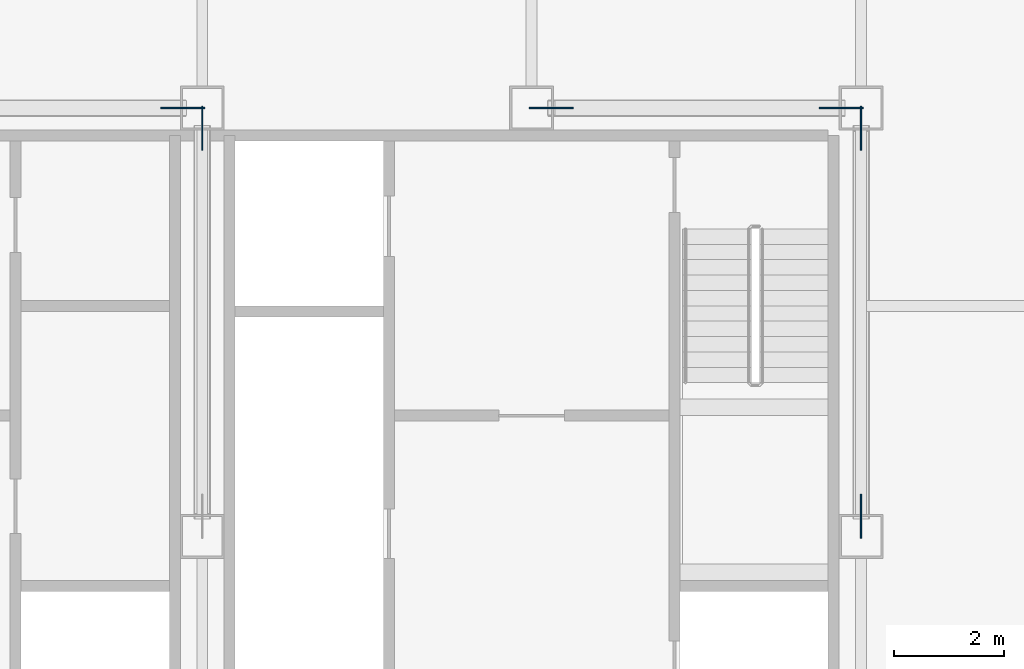
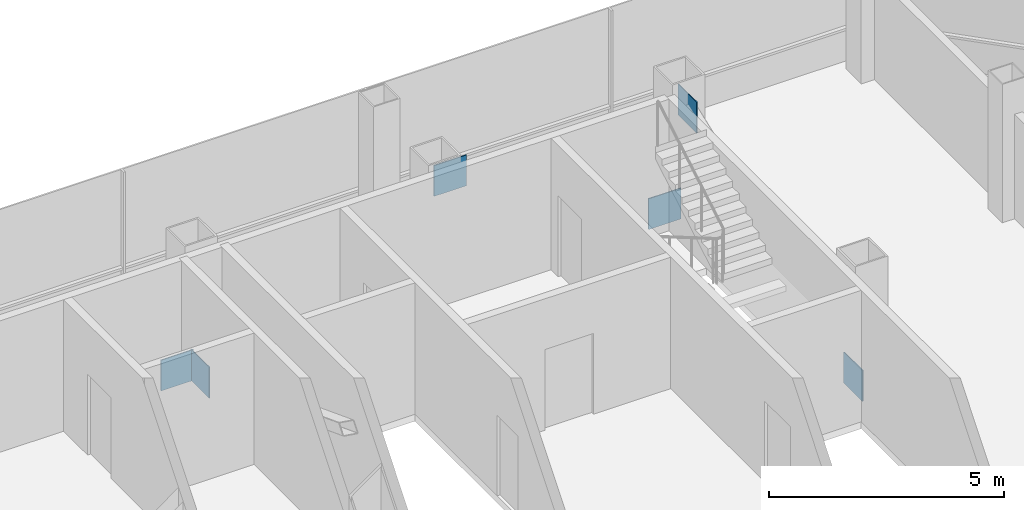
# One storey, part 25 of 27: 6 discrete accessories.
"""IFC4 building model written with IfcOpenShell, lengths in metres."""

from ifc_helpers import new_model, si_unit, direction, frame, origin, origin_2d, place, context, subcontext, project, spatial, rectangle, extrude, material, layer, layer_set, type_object, element, save


model = new_model("IFC4")

# Units and contexts
model_context = context("Model", 3, precision=1e-05, world=origin(), true_north=direction((0.0, 1.0)))
body_context = subcontext(model_context, "Body", "Model", "MODEL_VIEW")
ifc_project = project(units=[si_unit("LENGTHUNIT", "METRE"), si_unit("AREAUNIT", "SQUARE_METRE"), si_unit("VOLUMEUNIT", "CUBIC_METRE"), si_unit("PLANEANGLEUNIT", "RADIAN"), si_unit("MASSUNIT", "GRAM", prefix="KILO")], contexts=[model_context])

# Site, building, storey
site_placement = place(None, origin())
site = spatial("IfcSite", under=ifc_project, at=site_placement, CompositionType="ELEMENT")
building_placement = place(site_placement, origin())
building = spatial("IfcBuilding", under=site, at=building_placement, Name="Sorahane Residences", CompositionType="ELEMENT")
storey_placement = place(building_placement, frame((0.0, 0.0, 202.800048828125)))
storey = spatial("IfcBuildingStorey", under=building, at=storey_placement, Name="L47", CompositionType="ELEMENT", Elevation=202.800048828125)

# Discrete accessories
ifc_material = material(Name="Steel Q355B", Category="steel")
ifc_layer = layer(ifc_material, 0.02490234375)
ifc_layer_set = layer_set([ifc_layer], Name="Node plate Steel Q355B 25")
discrete_accessory_type = type_object("IfcDiscreteAccessoryType", Name="Node plate Steel Q355B 25", PredefinedType="BRACKET", material=ifc_layer_set)
for number, where, z_axis, x_axis, name in (
    (1, (30.0, 45.232177734375, -0.26220703125), (0.0, 0.0, 1.0), (0.0, 1.0, 0.0), "Node plate L47 br"),
    (2, (42.0, 38.16796875, -0.26220703125), (0.0, 0.0, 1.0), (0.0, 1.0, 0.0), "Node plate L47 br"),
    (3, (42.0, 45.232177734375, 2.43212890625), (0.0, 0.0, 1.0), (0.0, 1.0, 0.0), "Node plate L47 br"),
    (4, (29.64111328125, 45.60009765625, -0.27099609375), (0.0, 0.0, 1.0), (1.0, 0.0, 0.0), "Node plate L47 br"),
    (5, (41.64111328125, 45.60009765625, -0.27099609375), (0.0, 0.0, 1.0), (1.0, 0.0, 0.0), "Node plate L47 br"),
    (6, (36.35888671875, 45.60009765625, 2.44091796875), (0.0, 0.0, 1.0), (1.0, 0.0, 0.0), "Node plate L47 br"),
):
    element("IfcDiscreteAccessory", number, at=place(storey_placement, frame(where, z_axis=z_axis, x_axis=x_axis)), inside=storey, type_object=discrete_accessory_type, Name=name, PredefinedType="BRACKET", context=body_context, shape_type="SweptSolid", body=[
        extrude(rectangle(XDim=0.800048828125, YDim=0.02490234375, at=origin_2d()), origin(), (0.0, 0.0, 1.0), 0.800048828125),
    ])

save(model, "model.ifc")
